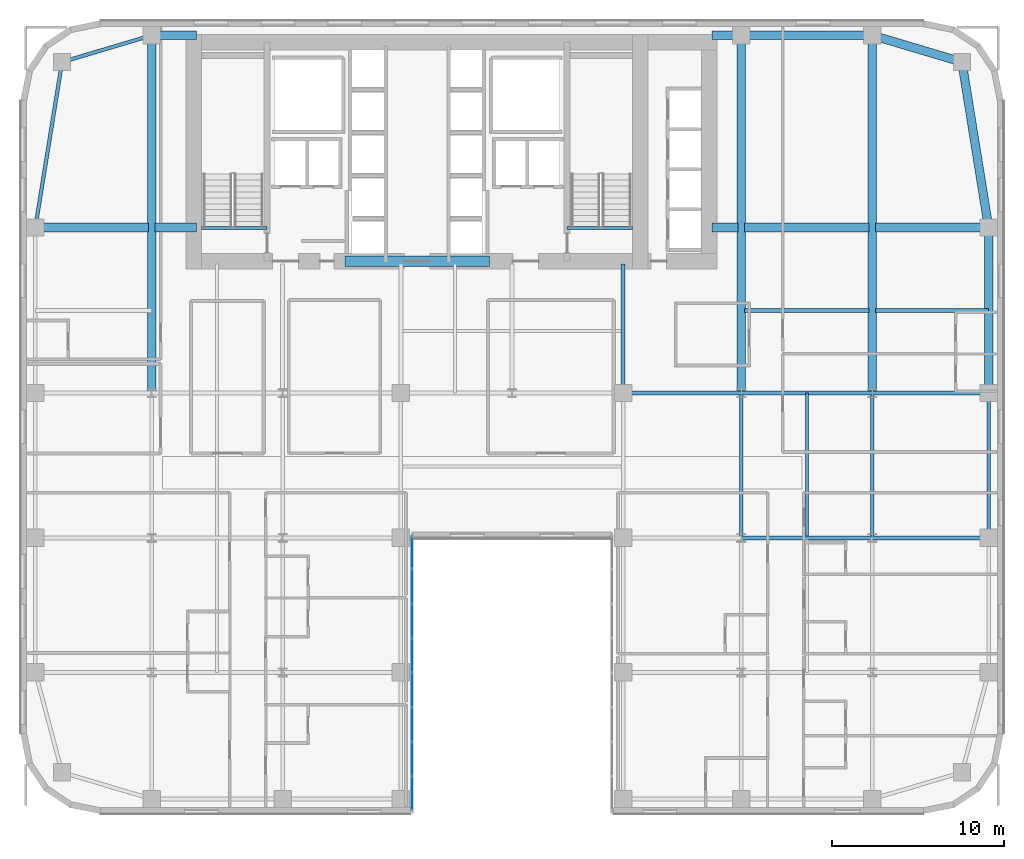
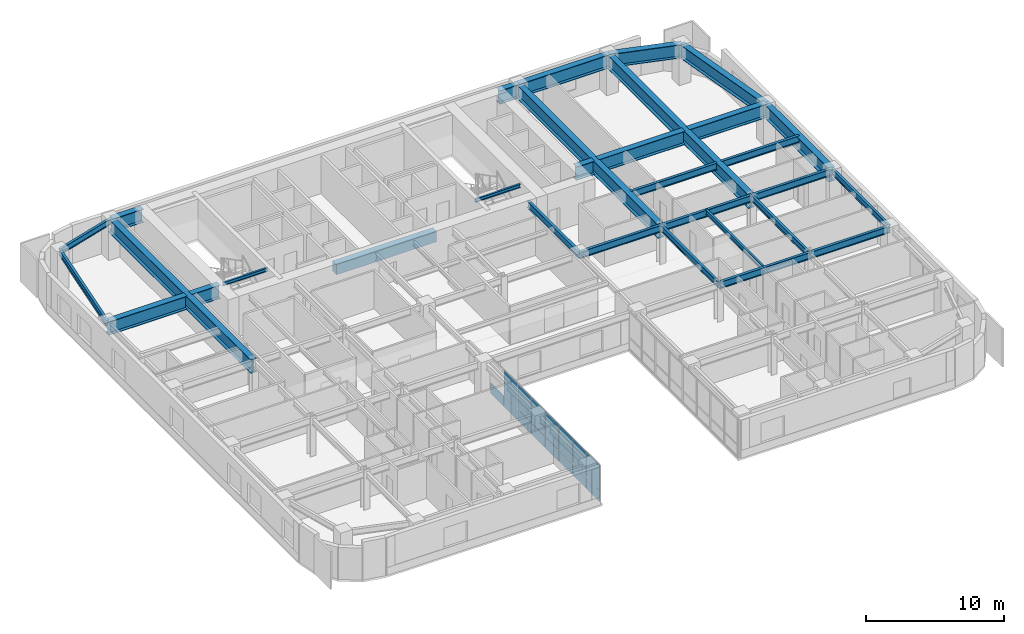
# One storey, part 12 of 24: 31 beams, 15 plates, 1 element without a shape of its own.
"""IFC4 building model written with IfcOpenShell, lengths in metres."""

from ifc_helpers import new_model, si_unit, direction, frame, origin, origin_2d, place, context, subcontext, project, spatial, rectangle, i_section, extrude, source, transform, mapped, material, layer, layer_set, material_profile, profile_set, type_object, type_shapes, element, aggregate, save


model = new_model("IFC4")

# Units and contexts
model_context = context("Model", 3, precision=1e-05, world=origin(), true_north=direction((0.0, 1.0)))
body_context = subcontext(model_context, "Body", "Model", "MODEL_VIEW")
ifc_project = project(units=[si_unit("LENGTHUNIT", "METRE"), si_unit("AREAUNIT", "SQUARE_METRE"), si_unit("VOLUMEUNIT", "CUBIC_METRE"), si_unit("PLANEANGLEUNIT", "RADIAN"), si_unit("MASSUNIT", "GRAM", prefix="KILO")], contexts=[model_context])

# Site, building, storey
site_placement = place(None, origin())
site = spatial("IfcSite", under=ifc_project, at=site_placement, CompositionType="ELEMENT")
building_placement = place(site_placement, origin())
building = spatial("IfcBuilding", under=site, at=building_placement, Name="Tolvann Quenvar Hotel", CompositionType="ELEMENT")
storey_placement = place(building_placement, frame((0.0, 0.0, 67.5)))
storey = spatial("IfcBuildingStorey", under=building, at=storey_placement, Name="L16", CompositionType="ELEMENT", Elevation=67.5)

# Beams
ifc_material_1 = material(Name="Concrete N50 (50 MPa)", Category="concrete")
ifc_material_profile_1 = material_profile(ifc_material_1, rectangle(XDim=0.60009765625, YDim=0.89990234375, at=origin_2d()), Name="RC600x900")
ifc_profile_set_1 = profile_set([ifc_material_profile_1], Name="Concrete N50 (50 MPa)")
beam_type_1 = type_object("IfcBeamType", Name="BM_LINT_RC600x900", PredefinedType="LINTEL", material=ifc_profile_set_1)
shared_shape_1 = source(origin(), body_context, "Body", "SweptSolid", [
    extrude(rectangle(XDim=0.60009765625, YDim=0.89990234375, at=origin_2d()), origin(), (0.0, 0.0, 1.0), 8.39990234375),
])
type_shapes(beam_type_1, [shared_shape_1])
beam_1_placement = place(storey_placement, frame((18.800048828125, 32.050048828125, 2.919921875), z_axis=(1.0, 0.0, 0.0), x_axis=(0.0, 1.0, 0.0)))
element("IfcBeam", 1, at=beam_1_placement, inside=storey, type_object=beam_type_1, Name="Core Coupling Lintel Beam (L16)", PredefinedType="LINTEL", context=body_context, shape_type="MappedRepresentation", body=[
    mapped(shared_shape_1, transform((0.0, 0.0, 0.0), x_axis=(1.0, 0.0, 0.0), y_axis=(0.0, 1.0, 0.0), z_axis=(0.0, 0.0, 1.0), scale=1.0)),
])
ifc_material_2 = material(Name="Steel Grade 350", Category="steel")
ifc_material_profile_2 = material_profile(ifc_material_2, i_section(OverallWidth=0.5, OverallDepth=1.199951171875, WebThickness=0.01611328125, FlangeThickness=0.0400390625, at=origin_2d()), Name="1200WB455")
ifc_profile_set_2 = profile_set([ifc_material_profile_2], Name="Steel Grade 350")
beam_type_2 = type_object("IfcBeamType", Name="BM_TG_1200WB455", PredefinedType="USERDEFINED", material=ifc_profile_set_2)
shared_shape_2 = source(origin(), body_context, "Body", "SweptSolid", [
    extrude(i_section(OverallWidth=0.5, OverallDepth=1.199951171875, WebThickness=0.01611328125, FlangeThickness=0.0400390625, at=origin_2d()), origin(), (0.0, 0.0, 1.0), 7.599853515625),
])
beam_2_placement = place(storey_placement, frame((49.39990234375, 45.14990234375, 2.77001953125), z_axis=(-1.0, 0.0, 0.0), x_axis=(0.0, -1.0, 0.0)))
element("IfcBeam", 2, at=beam_2_placement, inside=storey, type_object=beam_type_2, Name="BM-L16-FLK-E4", ObjectType="TRANSFER GIRDER", PredefinedType="USERDEFINED", context=body_context, shape_type="MappedRepresentation", body=[
    mapped(shared_shape_2, transform((0.0, 0.0, 0.0), x_axis=(1.0, 0.0, 0.0), y_axis=(0.0, 1.0, 0.0), z_axis=(0.0, 0.0, 1.0), scale=1.0)),
])
shared_shape_3 = source(origin(), body_context, "Body", "SweptSolid", [
    extrude(i_section(OverallWidth=0.5, OverallDepth=1.199951171875, WebThickness=0.01611328125, FlangeThickness=0.0400390625, at=origin_2d()), origin(), (0.0, 0.0, 1.0), 9.60009765625),
])
beam_3_placement = place(storey_placement, frame((56.14990234375, 24.39990234375, 2.77001953125), z_axis=(0.0, 1.0, 0.0), x_axis=(-1.0, 0.0, 0.0)))
element("IfcBeam", 3, at=beam_3_placement, inside=storey, type_object=beam_type_2, Name="BM-L16-FLK-E1", ObjectType="TRANSFER GIRDER", PredefinedType="USERDEFINED", context=body_context, shape_type="MappedRepresentation", body=[
    mapped(shared_shape_3, transform((0.0, 0.0, 0.0), x_axis=(1.0, 0.0, 0.0), y_axis=(0.0, 1.0, 0.0), z_axis=(0.0, 0.0, 1.0), scale=1.0)),
])
ifc_material_profile_3 = material_profile(ifc_material_2, i_section(OverallWidth=0.208984375, OverallDepth=0.528076171875, WebThickness=0.009521484375, FlangeThickness=0.01318359375, FilletRadius=0.013916015625, at=origin_2d()), Name="530UB82")
ifc_profile_set_3 = profile_set([ifc_material_profile_3], Name="Steel Grade 350")
beam_type_3 = type_object("IfcBeamType", Name="BM_SPAND_530UB82", PredefinedType="SPANDREL", material=ifc_profile_set_3)
shared_shape_4 = source(origin(), body_context, "Body", "SweptSolid", [
    extrude(i_section(OverallWidth=0.208984375, OverallDepth=0.528076171875, WebThickness=0.009521484375, FlangeThickness=0.01318359375, FilletRadius=0.013916015625, at=origin_2d()), origin(), (0.0, 0.0, 1.0), 5.42626953125),
])
beam_4_placement = place(storey_placement, frame((2.39990234375, 43.60009765625, 3.10595703125), z_axis=(0.958344815522, 0.285613750654, 0.0), x_axis=(-0.285613750654, 0.958344815522, 0.0)))
element("IfcBeam", 4, at=beam_4_placement, inside=storey, type_object=beam_type_3, Name="BM-L16-FLK-W3", PredefinedType="SPANDREL", context=body_context, shape_type="MappedRepresentation", body=[
    mapped(shared_shape_4, transform((0.0, 0.0, 0.0), x_axis=(1.0, 0.0, 0.0), y_axis=(0.0, 1.0, 0.0), z_axis=(0.0, 0.0, 1.0), scale=1.0)),
])
ifc_material_profile_4 = material_profile(ifc_material_2, i_section(OverallWidth=0.22900390625, OverallDepth=0.612060546875, WebThickness=0.011962890625, FlangeThickness=0.01953125, FilletRadius=0.013916015625, at=origin_2d()), Name="610UB125")
ifc_profile_set_4 = profile_set([ifc_material_profile_4], Name="Steel Grade 350")
beam_type_4 = type_object("IfcBeamType", Name="BM_GIRD_610UB125", PredefinedType="BEAM", material=ifc_profile_set_4)
shared_shape_5 = source(origin(), body_context, "Body", "SweptSolid", [
    extrude(i_section(OverallWidth=0.22900390625, OverallDepth=0.612060546875, WebThickness=0.011962890625, FlangeThickness=0.01953125, FilletRadius=0.013916015625, at=origin_2d()), origin(), (0.0, 0.0, 1.0), 6.75),
])
for number, where, z_axis, x_axis, name in (
    (5, (49.39990234375, 16.0, 3.06396484375), (1.0, 0.0, 0.0), (0.0, 1.0, 0.0), "BM-L16-EW-4-I4-J4"),
    (6, (49.39990234375, 24.39990234375, 3.06396484375), (1.0, 0.0, 0.0), (0.0, 1.0, 0.0), "BM-L16-EW-5-I5-J5"),
):
    element("IfcBeam", number, at=place(storey_placement, frame(where, z_axis=z_axis, x_axis=x_axis)), inside=storey, type_object=beam_type_4, Name=name, PredefinedType="BEAM", context=body_context, shape_type="MappedRepresentation", body=[
        mapped(shared_shape_5, transform((0.0, 0.0, 0.0), x_axis=(1.0, 0.0, 0.0), y_axis=(0.0, 1.0, 0.0), z_axis=(0.0, 0.0, 1.0), scale=1.0)),
    ])
shared_shape_6 = source(origin(), body_context, "Body", "SweptSolid", [
    extrude(i_section(OverallWidth=0.22900390625, OverallDepth=0.612060546875, WebThickness=0.011962890625, FlangeThickness=0.01953125, FilletRadius=0.013916015625, at=origin_2d()), origin(), (0.0, 0.0, 1.0), 7.599853515625),
])
for number, where, z_axis, x_axis, name in (
    (7, (41.800048828125, 16.0, 3.06396484375), (1.0, 0.0, 0.0), (0.0, 1.0, 0.0), "BM-L16-EW-4-H4-I4"),
    (8, (41.800048828125, 24.39990234375, 3.06396484375), (1.0, 0.0, 0.0), (0.0, 1.0, 0.0), "BM-L16-EW-5-H5-I5"),
):
    element("IfcBeam", number, at=place(storey_placement, frame(where, z_axis=z_axis, x_axis=x_axis)), inside=storey, type_object=beam_type_4, Name=name, PredefinedType="BEAM", context=body_context, shape_type="MappedRepresentation", body=[
        mapped(shared_shape_6, transform((0.0, 0.0, 0.0), x_axis=(1.0, 0.0, 0.0), y_axis=(0.0, 1.0, 0.0), z_axis=(0.0, 0.0, 1.0), scale=1.0)),
    ])
shared_shape_7 = source(origin(), body_context, "Body", "SweptSolid", [
    extrude(i_section(OverallWidth=0.22900390625, OverallDepth=0.612060546875, WebThickness=0.011962890625, FlangeThickness=0.01953125, FilletRadius=0.013916015625, at=origin_2d()), origin(), (0.0, 0.0, 1.0), 6.85009765625),
])
beam_5_placement = place(storey_placement, frame((34.949951171875, 24.39990234375, 3.06396484375), z_axis=(1.0, 0.0, 0.0), x_axis=(0.0, 1.0, 0.0)))
element("IfcBeam", 9, at=beam_5_placement, inside=storey, type_object=beam_type_4, Name="BM-L16-EW-5-F5-H5", PredefinedType="BEAM", context=body_context, shape_type="MappedRepresentation", body=[
    mapped(shared_shape_7, transform((0.0, 0.0, 0.0), x_axis=(1.0, 0.0, 0.0), y_axis=(0.0, 1.0, 0.0), z_axis=(0.0, 0.0, 1.0), scale=1.0)),
])
shared_shape_8 = source(origin(), body_context, "Body", "SweptSolid", [
    extrude(i_section(OverallWidth=0.208984375, OverallDepth=0.528076171875, WebThickness=0.009521484375, FlangeThickness=0.01318359375, FilletRadius=0.013916015625, at=origin_2d()), origin(), (0.0, 0.0, 1.0), 8.39990234375),
])
beam_6_placement = place(storey_placement, frame((56.14990234375, 16.0, 3.10595703125), z_axis=(0.0, 1.0, 0.0), x_axis=(-1.0, 0.0, 0.0)))
element("IfcBeam", 10, at=beam_6_placement, inside=storey, type_object=beam_type_3, Name="BM-L16-NS-J4-J5", PredefinedType="SPANDREL", context=body_context, shape_type="MappedRepresentation", body=[
    mapped(shared_shape_8, transform((0.0, 0.0, 0.0), x_axis=(1.0, 0.0, 0.0), y_axis=(0.0, 1.0, 0.0), z_axis=(0.0, 0.0, 1.0), scale=1.0)),
])
ifc_material_profile_5 = material_profile(ifc_material_2, i_section(OverallWidth=0.208984375, OverallDepth=0.532958984375, WebThickness=0.01025390625, FlangeThickness=0.015625, FilletRadius=0.013916015625, at=origin_2d()), Name="530UB92")
ifc_profile_set_5 = profile_set([ifc_material_profile_5], Name="Steel Grade 350")
beam_type_5 = type_object("IfcBeamType", Name="BM_GIRD_530UB92", PredefinedType="BEAM", material=ifc_profile_set_5)
shared_shape_9 = source(origin(), body_context, "Body", "SweptSolid", [
    extrude(i_section(OverallWidth=0.208984375, OverallDepth=0.532958984375, WebThickness=0.01025390625, FlangeThickness=0.015625, FilletRadius=0.013916015625, at=origin_2d()), origin(), (0.0, 0.0, 1.0), 8.39990234375),
])
type_shapes(beam_type_5, [shared_shape_9])
for number, where, z_axis, x_axis, name in (
    (11, (41.800048828125, 16.0, 3.103515625), (0.0, 1.0, 0.0), (-1.0, 0.0, 0.0), "BM-L16-NS-H4-H5"),
    (12, (49.39990234375, 16.0, 3.103515625), (0.0, 1.0, 0.0), (-1.0, 0.0, 0.0), "BM-L16-NS-I4-I5"),
):
    element("IfcBeam", number, at=place(storey_placement, frame(where, z_axis=z_axis, x_axis=x_axis)), inside=storey, type_object=beam_type_5, Name=name, PredefinedType="BEAM", context=body_context, shape_type="MappedRepresentation", body=[
        mapped(shared_shape_9, transform((0.0, 0.0, 0.0), x_axis=(1.0, 0.0, 0.0), y_axis=(0.0, 1.0, 0.0), z_axis=(0.0, 0.0, 1.0), scale=1.0)),
    ])
shared_shape_10 = source(origin(), body_context, "Body", "SweptSolid", [
    extrude(i_section(OverallWidth=0.22900390625, OverallDepth=0.612060546875, WebThickness=0.011962890625, FlangeThickness=0.01953125, FilletRadius=0.013916015625, at=origin_2d()), origin(), (0.0, 0.0, 1.0), 7.5),
])
beam_7_placement = place(storey_placement, frame((34.949951171875, 24.39990234375, 3.06396484375), z_axis=(0.0, 1.0, 0.0), x_axis=(-1.0, 0.0, 0.0)))
element("IfcBeam", 13, at=beam_7_placement, inside=storey, type_object=beam_type_4, Name="BM-L16-CORE-F5", PredefinedType="BEAM", context=body_context, shape_type="MappedRepresentation", body=[
    mapped(shared_shape_10, transform((0.0, 0.0, 0.0), x_axis=(1.0, 0.0, 0.0), y_axis=(0.0, 1.0, 0.0), z_axis=(0.0, 0.0, 1.0), scale=1.0)),
])
shared_shape_11 = source(origin(), body_context, "Body", "SweptSolid", [
    extrude(i_section(OverallWidth=0.208984375, OverallDepth=0.528076171875, WebThickness=0.009521484375, FlangeThickness=0.01318359375, FilletRadius=0.013916015625, at=origin_2d()), origin(), (0.0, 0.0, 1.0), 9.724365234375),
])
type_shapes(beam_type_3, [shared_shape_4, shared_shape_8, shared_shape_11])
beam_8_placement = place(storey_placement, frame((0.85009765625, 34.0, 3.10595703125), z_axis=(0.159372939192, 0.987218449105, 0.0), x_axis=(-0.987218449105, 0.159372939192, 0.0)))
element("IfcBeam", 14, at=beam_8_placement, inside=storey, type_object=beam_type_3, Name="BM-L16-FLK-W2", PredefinedType="SPANDREL", context=body_context, shape_type="MappedRepresentation", body=[
    mapped(shared_shape_11, transform((0.0, 0.0, 0.0), x_axis=(1.0, 0.0, 0.0), y_axis=(0.0, 1.0, 0.0), z_axis=(0.0, 0.0, 1.0), scale=1.0)),
])
shared_shape_12 = source(origin(), body_context, "Body", "SweptSolid", [
    extrude(i_section(OverallWidth=0.5, OverallDepth=1.199951171875, WebThickness=0.01611328125, FlangeThickness=0.0400390625, at=origin_2d()), origin(), (0.0, 0.0, 1.0), 20.75),
])
for number, where, z_axis, x_axis, name in (
    (15, (7.60009765625, 24.39990234375, 2.77001953125), (0.0, 1.0, 0.0), (-1.0, 0.0, 0.0), "BM-L16-FLK-WC"),
    (16, (41.800048828125, 24.39990234375, 2.77001953125), (0.0, 1.0, 0.0), (-1.0, 0.0, 0.0), "BM-L16-FLK-EH"),
    (17, (49.39990234375, 24.39990234375, 2.77001953125), (0.0, 1.0, 0.0), (-1.0, 0.0, 0.0), "BM-L16-FLK-EI"),
):
    element("IfcBeam", number, at=place(storey_placement, frame(where, z_axis=z_axis, x_axis=x_axis)), inside=storey, type_object=beam_type_2, Name=name, ObjectType="TRANSFER GIRDER", PredefinedType="USERDEFINED", context=body_context, shape_type="MappedRepresentation", body=[
        mapped(shared_shape_12, transform((0.0, 0.0, 0.0), x_axis=(1.0, 0.0, 0.0), y_axis=(0.0, 1.0, 0.0), z_axis=(0.0, 0.0, 1.0), scale=1.0)),
    ])
shared_shape_13 = source(origin(), body_context, "Body", "SweptSolid", [
    extrude(i_section(OverallWidth=0.5, OverallDepth=1.199951171875, WebThickness=0.01611328125, FlangeThickness=0.0400390625, at=origin_2d()), origin(), (0.0, 0.0, 1.0), 6.56982421875),
])
for number, where, z_axis, x_axis, name in (
    (18, (0.85009765625, 34.0, 2.77001953125), (1.0, 0.0, 0.0), (0.0, 1.0, 0.0), "BM-L16-CTW-MID1"),
    (19, (49.580078125, 34.0, 2.77001953125), (1.0, 0.0, 0.0), (0.0, 1.0, 0.0), "BM-L16-CTE-JD6C"),
):
    element("IfcBeam", number, at=place(storey_placement, frame(where, z_axis=z_axis, x_axis=x_axis)), inside=storey, type_object=beam_type_2, Name=name, ObjectType="TRANSFER GIRDER", PredefinedType="USERDEFINED", context=body_context, shape_type="MappedRepresentation", body=[
        mapped(shared_shape_13, transform((0.0, 0.0, 0.0), x_axis=(1.0, 0.0, 0.0), y_axis=(0.0, 1.0, 0.0), z_axis=(0.0, 0.0, 1.0), scale=1.0)),
    ])
shared_shape_14 = source(origin(), body_context, "Body", "SweptSolid", [
    extrude(i_section(OverallWidth=0.5, OverallDepth=1.199951171875, WebThickness=0.01611328125, FlangeThickness=0.0400390625, at=origin_2d()), origin(), (0.0, 0.0, 1.0), 2.419921875),
])
beam_9_placement = place(storey_placement, frame((7.780029296875, 34.0, 2.77001953125), z_axis=(1.0, 0.0, 0.0), x_axis=(0.0, 1.0, 0.0)))
element("IfcBeam", 20, at=beam_9_placement, inside=storey, type_object=beam_type_2, Name="BM-L16-CTW-MID2", ObjectType="TRANSFER GIRDER", PredefinedType="USERDEFINED", context=body_context, shape_type="MappedRepresentation", body=[
    mapped(shared_shape_14, transform((0.0, 0.0, 0.0), x_axis=(1.0, 0.0, 0.0), y_axis=(0.0, 1.0, 0.0), z_axis=(0.0, 0.0, 1.0), scale=1.0)),
])
shared_shape_15 = source(origin(), body_context, "Body", "SweptSolid", [
    extrude(i_section(OverallWidth=0.5, OverallDepth=1.199951171875, WebThickness=0.01611328125, FlangeThickness=0.0400390625, at=origin_2d()), origin(), (0.0, 0.0, 1.0), 2.599853515625),
])
beam_10_placement = place(storey_placement, frame((7.60009765625, 45.14990234375, 2.77001953125), z_axis=(1.0, 0.0, 0.0), x_axis=(0.0, 1.0, 0.0)))
element("IfcBeam", 21, at=beam_10_placement, inside=storey, type_object=beam_type_2, Name="BM-L16-CTW-CN", ObjectType="TRANSFER GIRDER", PredefinedType="USERDEFINED", context=body_context, shape_type="MappedRepresentation", body=[
    mapped(shared_shape_15, transform((0.0, 0.0, 0.0), x_axis=(1.0, 0.0, 0.0), y_axis=(0.0, 1.0, 0.0), z_axis=(0.0, 0.0, 1.0), scale=1.0)),
])
shared_shape_16 = source(origin(), body_context, "Body", "SweptSolid", [
    extrude(i_section(OverallWidth=0.5, OverallDepth=1.199951171875, WebThickness=0.01611328125, FlangeThickness=0.0400390625, at=origin_2d()), origin(), (0.0, 0.0, 1.0), 9.724365234375),
])
beam_11_placement = place(storey_placement, frame((56.14990234375, 34.0, 2.77001953125), z_axis=(-0.159372939192, 0.987218449105, 0.0), x_axis=(-0.987218449105, -0.159372939192, 0.0)))
element("IfcBeam", 22, at=beam_11_placement, inside=storey, type_object=beam_type_2, Name="BM-L16-FLK-E2", ObjectType="TRANSFER GIRDER", PredefinedType="USERDEFINED", context=body_context, shape_type="MappedRepresentation", body=[
    mapped(shared_shape_16, transform((0.0, 0.0, 0.0), x_axis=(1.0, 0.0, 0.0), y_axis=(0.0, 1.0, 0.0), z_axis=(0.0, 0.0, 1.0), scale=1.0)),
])
shared_shape_17 = source(origin(), body_context, "Body", "SweptSolid", [
    extrude(i_section(OverallWidth=0.5, OverallDepth=1.199951171875, WebThickness=0.01611328125, FlangeThickness=0.0400390625, at=origin_2d()), origin(), (0.0, 0.0, 1.0), 5.42626953125),
])
beam_12_placement = place(storey_placement, frame((54.60009765625, 43.60009765625, 2.77001953125), z_axis=(-0.958344815522, 0.285613750654, 0.0), x_axis=(-0.285613750654, -0.958344815522, 0.0)))
element("IfcBeam", 23, at=beam_12_placement, inside=storey, type_object=beam_type_2, Name="BM-L16-FLK-E3", ObjectType="TRANSFER GIRDER", PredefinedType="USERDEFINED", context=body_context, shape_type="MappedRepresentation", body=[
    mapped(shared_shape_17, transform((0.0, 0.0, 0.0), x_axis=(1.0, 0.0, 0.0), y_axis=(0.0, 1.0, 0.0), z_axis=(0.0, 0.0, 1.0), scale=1.0)),
])
shared_shape_18 = source(origin(), body_context, "Body", "SweptSolid", [
    extrude(i_section(OverallWidth=0.5, OverallDepth=1.199951171875, WebThickness=0.01611328125, FlangeThickness=0.0400390625, at=origin_2d()), origin(), (0.0, 0.0, 1.0), 1.699951171875),
])
beam_13_placement = place(storey_placement, frame((40.10009765625, 45.14990234375, 2.77001953125), z_axis=(1.0, 0.0, 0.0), x_axis=(0.0, 1.0, 0.0)))
element("IfcBeam", 24, at=beam_13_placement, inside=storey, type_object=beam_type_2, Name="BM-L16-CTE-HN", ObjectType="TRANSFER GIRDER", PredefinedType="USERDEFINED", context=body_context, shape_type="MappedRepresentation", body=[
    mapped(shared_shape_18, transform((0.0, 0.0, 0.0), x_axis=(1.0, 0.0, 0.0), y_axis=(0.0, 1.0, 0.0), z_axis=(0.0, 0.0, 1.0), scale=1.0)),
])
shared_shape_19 = source(origin(), body_context, "Body", "SweptSolid", [
    extrude(i_section(OverallWidth=0.5, OverallDepth=1.199951171875, WebThickness=0.01611328125, FlangeThickness=0.0400390625, at=origin_2d()), origin(), (0.0, 0.0, 1.0), 1.52001953125),
])
beam_14_placement = place(storey_placement, frame((40.10009765625, 34.0, 2.77001953125), z_axis=(1.0, 0.0, 0.0), x_axis=(0.0, 1.0, 0.0)))
element("IfcBeam", 25, at=beam_14_placement, inside=storey, type_object=beam_type_2, Name="BM-L16-CTE-JD6A", ObjectType="TRANSFER GIRDER", PredefinedType="USERDEFINED", context=body_context, shape_type="MappedRepresentation", body=[
    mapped(shared_shape_19, transform((0.0, 0.0, 0.0), x_axis=(1.0, 0.0, 0.0), y_axis=(0.0, 1.0, 0.0), z_axis=(0.0, 0.0, 1.0), scale=1.0)),
])
shared_shape_20 = source(origin(), body_context, "Body", "SweptSolid", [
    extrude(i_section(OverallWidth=0.5, OverallDepth=1.199951171875, WebThickness=0.01611328125, FlangeThickness=0.0400390625, at=origin_2d()), origin(), (0.0, 0.0, 1.0), 7.239990234375),
])
type_shapes(beam_type_2, [shared_shape_2, shared_shape_3, shared_shape_12, shared_shape_13, shared_shape_14, shared_shape_15, shared_shape_16, shared_shape_17, shared_shape_18, shared_shape_19, shared_shape_20])
beam_15_placement = place(storey_placement, frame((41.97998046875, 34.0, 2.77001953125), z_axis=(1.0, 0.0, 0.0), x_axis=(0.0, 1.0, 0.0)))
element("IfcBeam", 26, at=beam_15_placement, inside=storey, type_object=beam_type_2, Name="BM-L16-CTE-JD6B", ObjectType="TRANSFER GIRDER", PredefinedType="USERDEFINED", context=body_context, shape_type="MappedRepresentation", body=[
    mapped(shared_shape_20, transform((0.0, 0.0, 0.0), x_axis=(1.0, 0.0, 0.0), y_axis=(0.0, 1.0, 0.0), z_axis=(0.0, 0.0, 1.0), scale=1.0)),
])
shared_shape_21 = source(origin(), body_context, "Body", "SweptSolid", [
    extrude(i_section(OverallWidth=0.22900390625, OverallDepth=0.612060546875, WebThickness=0.011962890625, FlangeThickness=0.01953125, FilletRadius=0.013916015625, at=origin_2d()), origin(), (0.0, 0.0, 1.0), 7.239990234375),
])
beam_16_placement = place(storey_placement, frame((41.97998046875, 29.199951171875, 3.06396484375), z_axis=(1.0, 0.0, 0.0), x_axis=(0.0, 1.0, 0.0)))
element("IfcBeam", 27, at=beam_16_placement, inside=storey, type_object=beam_type_4, Name="BM-L16-EW-HI29", PredefinedType="BEAM", context=body_context, shape_type="MappedRepresentation", body=[
    mapped(shared_shape_21, transform((0.0, 0.0, 0.0), x_axis=(1.0, 0.0, 0.0), y_axis=(0.0, 1.0, 0.0), z_axis=(0.0, 0.0, 1.0), scale=1.0)),
])
shared_shape_22 = source(origin(), body_context, "Body", "SweptSolid", [
    extrude(i_section(OverallWidth=0.22900390625, OverallDepth=0.612060546875, WebThickness=0.011962890625, FlangeThickness=0.01953125, FilletRadius=0.013916015625, at=origin_2d()), origin(), (0.0, 0.0, 1.0), 6.56982421875),
])
type_shapes(beam_type_4, [shared_shape_5, shared_shape_6, shared_shape_7, shared_shape_10, shared_shape_21, shared_shape_22])
beam_17_placement = place(storey_placement, frame((49.580078125, 29.199951171875, 3.06396484375), z_axis=(1.0, 0.0, 0.0), x_axis=(0.0, 1.0, 0.0)))
element("IfcBeam", 28, at=beam_17_placement, inside=storey, type_object=beam_type_4, Name="BM-L16-EW-IJ29", PredefinedType="BEAM", context=body_context, shape_type="MappedRepresentation", body=[
    mapped(shared_shape_22, transform((0.0, 0.0, 0.0), x_axis=(1.0, 0.0, 0.0), y_axis=(0.0, 1.0, 0.0), z_axis=(0.0, 0.0, 1.0), scale=1.0)),
])
ifc_material_profile_6 = material_profile(ifc_material_2, i_section(OverallWidth=0.177978515625, OverallDepth=0.406005859375, WebThickness=0.0078125, FlangeThickness=0.0126953125, FilletRadius=0.011474609375, at=origin_2d()), Name="410UB60")
ifc_profile_set_6 = profile_set([ifc_material_profile_6], Name="Steel Grade 350")
beam_type_6 = type_object("IfcBeamType", Name="BM_JOIST_410UB60", PredefinedType="JOIST", material=ifc_profile_set_6)
shared_shape_23 = source(origin(), body_context, "Body", "SweptSolid", [
    extrude(i_section(OverallWidth=0.177978515625, OverallDepth=0.406005859375, WebThickness=0.0078125, FlangeThickness=0.0126953125, FilletRadius=0.011474609375, at=origin_2d()), origin(), (0.0, 0.0, 1.0), 8.29150390625),
])
type_shapes(beam_type_6, [shared_shape_23])
beam_18_placement = place(storey_placement, frame((45.60009765625, 16.1083984375, 3.1669921875), z_axis=(0.0, 1.0, 0.0), x_axis=(-1.0, 0.0, 0.0)))
element("IfcBeam", 29, at=beam_18_placement, inside=storey, type_object=beam_type_6, Name="BJ-L16-456-160", PredefinedType="JOIST", context=body_context, shape_type="MappedRepresentation", body=[
    mapped(shared_shape_23, transform((0.0, 0.0, 0.0), x_axis=(1.0, 0.0, 0.0), y_axis=(0.0, 1.0, 0.0), z_axis=(0.0, 0.0, 1.0), scale=1.0)),
])
ifc_material_profile_7 = material_profile(ifc_material_2, i_section(OverallWidth=0.166015625, OverallDepth=0.306884765625, WebThickness=0.006591796875, FlangeThickness=0.01171875, FilletRadius=0.011474609375, at=origin_2d()), Name="310UB46")
ifc_profile_set_7 = profile_set([ifc_material_profile_7], Name="Steel Grade 350")
beam_type_7 = type_object("IfcBeamType", Name="BM_JOIST_310UB46", PredefinedType="JOIST", material=ifc_profile_set_7)
shared_shape_24 = source(origin(), body_context, "Body", "SweptSolid", [
    extrude(i_section(OverallWidth=0.166015625, OverallDepth=0.306884765625, WebThickness=0.006591796875, FlangeThickness=0.01171875, FilletRadius=0.011474609375, at=origin_2d()), origin(), (0.0, 0.0, 1.0), 3.800048828125),
])
type_shapes(beam_type_7, [shared_shape_24])
for number, where, z_axis, x_axis, name in (
    (30, (10.5, 33.97998046875, 3.216552734375), (1.0, 0.0, 0.0), (0.0, 1.0, 0.0), "BM-HDR-STC1-L17"),
    (31, (31.699951171875, 33.97998046875, 3.216552734375), (1.0, 0.0, 0.0), (0.0, 1.0, 0.0), "BM-HDR-STC2-L17"),
):
    element("IfcBeam", number, at=place(storey_placement, frame(where, z_axis=z_axis, x_axis=x_axis)), inside=storey, type_object=beam_type_7, Name=name, PredefinedType="JOIST", context=body_context, shape_type="MappedRepresentation", body=[
        mapped(shared_shape_24, transform((0.0, 0.0, 0.0), x_axis=(1.0, 0.0, 0.0), y_axis=(0.0, 1.0, 0.0), z_axis=(0.0, 0.0, 1.0), scale=1.0)),
    ])

# Curtain wall, plates
ifc_material_3 = material(Name="Thermally broken anodised architectural aluminium 6063-T6 and laminated low-E glass", Category="aluminium")
ifc_layer_1 = layer(ifc_material_3, 0.179931640625)
ifc_layer_set_1 = layer_set([ifc_layer_1], Name="Thermally broken anodised architectural aluminium 6063-T6 and laminated low-E glass")
curtain_wall_type = type_object("IfcCurtainWallType", Name="CW_SYS_SLOT_03", PredefinedType="USERDEFINED", material=ifc_layer_set_1)
curtain_wall_placement = place(storey_placement, origin())
curtain_wall = element("IfcCurtainWall", 32, at=curtain_wall_placement, inside=storey, type_object=curtain_wall_type, Name="Curtain Wall CW-SLOT-03 (CWR-L16-E05)", ObjectType="UNITISED CURTAIN WALL", PredefinedType="USERDEFINED")
ifc_material_4 = material(Name="Low-iron laminated double glazing with solar-control coating", Category="glass")
ifc_layer_2 = layer(ifc_material_4, 0.028076171875)
ifc_layer_set_2 = layer_set([ifc_layer_2], Name="Low-iron laminated double glazing with solar-control coating")
plate_type = type_object("IfcPlateType", Name="CW_PAN_VISION_28", PredefinedType="CURTAIN_PANEL", material=ifc_layer_set_2)
shared_shape_25 = source(origin(), body_context, "Body", "SweptSolid", [
    extrude(rectangle(XDim=1.89501953125, YDim=0.028076171875, at=origin_2d()), origin(), (0.0, 0.0, 1.0), 0.9599609375),
])
plate_1_placement = place(storey_placement, frame((22.7099609375, 1.1923828125, 0.06005859375), z_axis=(0.0, 0.0, 1.0), x_axis=(0.0, 1.0, 0.0)))
plate_1 = element("IfcPlate", 33, at=plate_1_placement, type_object=plate_type, Name="CW-SLOT-03 panel 1.1", PredefinedType="CURTAIN_PANEL", context=body_context, shape_type="MappedRepresentation", body=[
    mapped(shared_shape_25, transform((0.0, 0.0, 0.0), x_axis=(1.0, 0.0, 0.0), y_axis=(0.0, 1.0, 0.0), z_axis=(0.0, 0.0, 1.0), scale=1.0)),
])
plate_2_placement = place(storey_placement, frame((22.7099609375, 15.157470703125, 0.06005859375), z_axis=(0.0, 0.0, 1.0), x_axis=(0.0, 1.0, 0.0)))
plate_2 = element("IfcPlate", 34, at=plate_2_placement, type_object=plate_type, Name="CW-SLOT-03 panel 8.1", PredefinedType="CURTAIN_PANEL", context=body_context, shape_type="MappedRepresentation", body=[
    mapped(shared_shape_25, transform((0.0, 0.0, 0.0), x_axis=(1.0, 0.0, 0.0), y_axis=(0.0, 1.0, 0.0), z_axis=(0.0, 0.0, 1.0), scale=1.0)),
])
shared_shape_26 = source(origin(), body_context, "Body", "SweptSolid", [
    extrude(rectangle(XDim=1.89501953125, YDim=0.028076171875, at=origin_2d()), origin(), (0.0, 0.0, 1.0), 2.22998046875),
])
plate_3_placement = place(storey_placement, frame((22.7099609375, 1.1923828125, 1.080078125), z_axis=(0.0, 0.0, 1.0), x_axis=(0.0, 1.0, 0.0)))
plate_3 = element("IfcPlate", 35, at=plate_3_placement, type_object=plate_type, Name="CW-SLOT-03 panel 1.2", PredefinedType="CURTAIN_PANEL", context=body_context, shape_type="MappedRepresentation", body=[
    mapped(shared_shape_26, transform((0.0, 0.0, 0.0), x_axis=(1.0, 0.0, 0.0), y_axis=(0.0, 1.0, 0.0), z_axis=(0.0, 0.0, 1.0), scale=1.0)),
])
shared_shape_27 = source(origin(), body_context, "Body", "SweptSolid", [
    extrude(rectangle(XDim=1.929931640625, YDim=0.028076171875, at=origin_2d()), origin(), (0.0, 0.0, 1.0), 0.9599609375),
])
plate_4_placement = place(storey_placement, frame((22.7099609375, 3.175048828125, 0.06005859375), z_axis=(0.0, 0.0, 1.0), x_axis=(0.0, 1.0, 0.0)))
plate_4 = element("IfcPlate", 36, at=plate_4_placement, type_object=plate_type, Name="CW-SLOT-03 panel 2.1", PredefinedType="CURTAIN_PANEL", context=body_context, shape_type="MappedRepresentation", body=[
    mapped(shared_shape_27, transform((0.0, 0.0, 0.0), x_axis=(1.0, 0.0, 0.0), y_axis=(0.0, 1.0, 0.0), z_axis=(0.0, 0.0, 1.0), scale=1.0)),
])
plate_5_placement = place(storey_placement, frame((22.7099609375, 5.175048828125, 0.06005859375), z_axis=(0.0, 0.0, 1.0), x_axis=(0.0, 1.0, 0.0)))
plate_5 = element("IfcPlate", 37, at=plate_5_placement, type_object=plate_type, Name="CW-SLOT-03 panel 3.1", PredefinedType="CURTAIN_PANEL", context=body_context, shape_type="MappedRepresentation", body=[
    mapped(shared_shape_27, transform((0.0, 0.0, 0.0), x_axis=(1.0, 0.0, 0.0), y_axis=(0.0, 1.0, 0.0), z_axis=(0.0, 0.0, 1.0), scale=1.0)),
])
plate_6_placement = place(storey_placement, frame((22.7099609375, 7.175048828125, 0.06005859375), z_axis=(0.0, 0.0, 1.0), x_axis=(0.0, 1.0, 0.0)))
plate_6 = element("IfcPlate", 38, at=plate_6_placement, type_object=plate_type, Name="CW-SLOT-03 panel 4.1", PredefinedType="CURTAIN_PANEL", context=body_context, shape_type="MappedRepresentation", body=[
    mapped(shared_shape_27, transform((0.0, 0.0, 0.0), x_axis=(1.0, 0.0, 0.0), y_axis=(0.0, 1.0, 0.0), z_axis=(0.0, 0.0, 1.0), scale=1.0)),
])
plate_7_placement = place(storey_placement, frame((22.7099609375, 9.175048828125, 0.06005859375), z_axis=(0.0, 0.0, 1.0), x_axis=(0.0, 1.0, 0.0)))
plate_7 = element("IfcPlate", 39, at=plate_7_placement, type_object=plate_type, Name="CW-SLOT-03 panel 5.1", PredefinedType="CURTAIN_PANEL", context=body_context, shape_type="MappedRepresentation", body=[
    mapped(shared_shape_27, transform((0.0, 0.0, 0.0), x_axis=(1.0, 0.0, 0.0), y_axis=(0.0, 1.0, 0.0), z_axis=(0.0, 0.0, 1.0), scale=1.0)),
])
plate_8_placement = place(storey_placement, frame((22.7099609375, 11.175048828125, 0.06005859375), z_axis=(0.0, 0.0, 1.0), x_axis=(0.0, 1.0, 0.0)))
plate_8 = element("IfcPlate", 40, at=plate_8_placement, type_object=plate_type, Name="CW-SLOT-03 panel 6.1", PredefinedType="CURTAIN_PANEL", context=body_context, shape_type="MappedRepresentation", body=[
    mapped(shared_shape_27, transform((0.0, 0.0, 0.0), x_axis=(1.0, 0.0, 0.0), y_axis=(0.0, 1.0, 0.0), z_axis=(0.0, 0.0, 1.0), scale=1.0)),
])
plate_9_placement = place(storey_placement, frame((22.7099609375, 13.175048828125, 0.06005859375), z_axis=(0.0, 0.0, 1.0), x_axis=(0.0, 1.0, 0.0)))
plate_9 = element("IfcPlate", 41, at=plate_9_placement, type_object=plate_type, Name="CW-SLOT-03 panel 7.1", PredefinedType="CURTAIN_PANEL", context=body_context, shape_type="MappedRepresentation", body=[
    mapped(shared_shape_27, transform((0.0, 0.0, 0.0), x_axis=(1.0, 0.0, 0.0), y_axis=(0.0, 1.0, 0.0), z_axis=(0.0, 0.0, 1.0), scale=1.0)),
])
shared_shape_28 = source(origin(), body_context, "Body", "SweptSolid", [
    extrude(rectangle(XDim=1.929931640625, YDim=0.028076171875, at=origin_2d()), origin(), (0.0, 0.0, 1.0), 2.22998046875),
])
type_shapes(plate_type, [shared_shape_25, shared_shape_26, shared_shape_27, shared_shape_28])
plate_10_placement = place(storey_placement, frame((22.7099609375, 3.175048828125, 1.080078125), z_axis=(0.0, 0.0, 1.0), x_axis=(0.0, 1.0, 0.0)))
plate_10 = element("IfcPlate", 42, at=plate_10_placement, type_object=plate_type, Name="CW-SLOT-03 panel 2.2", PredefinedType="CURTAIN_PANEL", context=body_context, shape_type="MappedRepresentation", body=[
    mapped(shared_shape_28, transform((0.0, 0.0, 0.0), x_axis=(1.0, 0.0, 0.0), y_axis=(0.0, 1.0, 0.0), z_axis=(0.0, 0.0, 1.0), scale=1.0)),
])
plate_11_placement = place(storey_placement, frame((22.7099609375, 5.175048828125, 1.080078125), z_axis=(0.0, 0.0, 1.0), x_axis=(0.0, 1.0, 0.0)))
plate_11 = element("IfcPlate", 43, at=plate_11_placement, type_object=plate_type, Name="CW-SLOT-03 panel 3.2", PredefinedType="CURTAIN_PANEL", context=body_context, shape_type="MappedRepresentation", body=[
    mapped(shared_shape_28, transform((0.0, 0.0, 0.0), x_axis=(1.0, 0.0, 0.0), y_axis=(0.0, 1.0, 0.0), z_axis=(0.0, 0.0, 1.0), scale=1.0)),
])
plate_12_placement = place(storey_placement, frame((22.7099609375, 7.175048828125, 1.080078125), z_axis=(0.0, 0.0, 1.0), x_axis=(0.0, 1.0, 0.0)))
plate_12 = element("IfcPlate", 44, at=plate_12_placement, type_object=plate_type, Name="CW-SLOT-03 panel 4.2", PredefinedType="CURTAIN_PANEL", context=body_context, shape_type="MappedRepresentation", body=[
    mapped(shared_shape_28, transform((0.0, 0.0, 0.0), x_axis=(1.0, 0.0, 0.0), y_axis=(0.0, 1.0, 0.0), z_axis=(0.0, 0.0, 1.0), scale=1.0)),
])
plate_13_placement = place(storey_placement, frame((22.7099609375, 9.175048828125, 1.080078125), z_axis=(0.0, 0.0, 1.0), x_axis=(0.0, 1.0, 0.0)))
plate_13 = element("IfcPlate", 45, at=plate_13_placement, type_object=plate_type, Name="CW-SLOT-03 panel 5.2", PredefinedType="CURTAIN_PANEL", context=body_context, shape_type="MappedRepresentation", body=[
    mapped(shared_shape_28, transform((0.0, 0.0, 0.0), x_axis=(1.0, 0.0, 0.0), y_axis=(0.0, 1.0, 0.0), z_axis=(0.0, 0.0, 1.0), scale=1.0)),
])
plate_14_placement = place(storey_placement, frame((22.7099609375, 11.175048828125, 1.080078125), z_axis=(0.0, 0.0, 1.0), x_axis=(0.0, 1.0, 0.0)))
plate_14 = element("IfcPlate", 46, at=plate_14_placement, type_object=plate_type, Name="CW-SLOT-03 panel 6.2", PredefinedType="CURTAIN_PANEL", context=body_context, shape_type="MappedRepresentation", body=[
    mapped(shared_shape_28, transform((0.0, 0.0, 0.0), x_axis=(1.0, 0.0, 0.0), y_axis=(0.0, 1.0, 0.0), z_axis=(0.0, 0.0, 1.0), scale=1.0)),
])
plate_15_placement = place(storey_placement, frame((22.7099609375, 13.175048828125, 1.080078125), z_axis=(0.0, 0.0, 1.0), x_axis=(0.0, 1.0, 0.0)))
plate_15 = element("IfcPlate", 47, at=plate_15_placement, type_object=plate_type, Name="CW-SLOT-03 panel 7.2", PredefinedType="CURTAIN_PANEL", context=body_context, shape_type="MappedRepresentation", body=[
    mapped(shared_shape_28, transform((0.0, 0.0, 0.0), x_axis=(1.0, 0.0, 0.0), y_axis=(0.0, 1.0, 0.0), z_axis=(0.0, 0.0, 1.0), scale=1.0)),
])
aggregate(curtain_wall, [plate_1, plate_3, plate_4, plate_10, plate_5, plate_11, plate_6, plate_12, plate_7, plate_13, plate_8, plate_14, plate_9, plate_15, plate_2])

save(model, "model.ifc")
